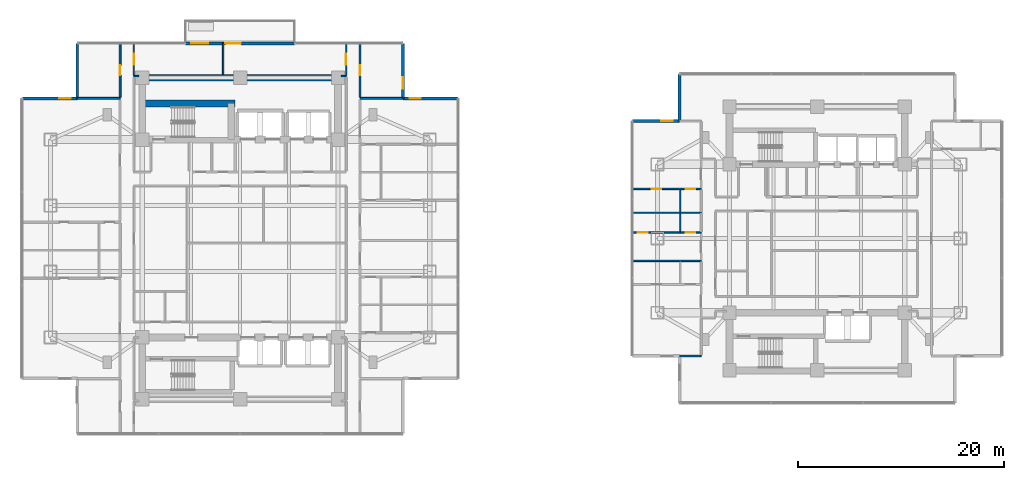
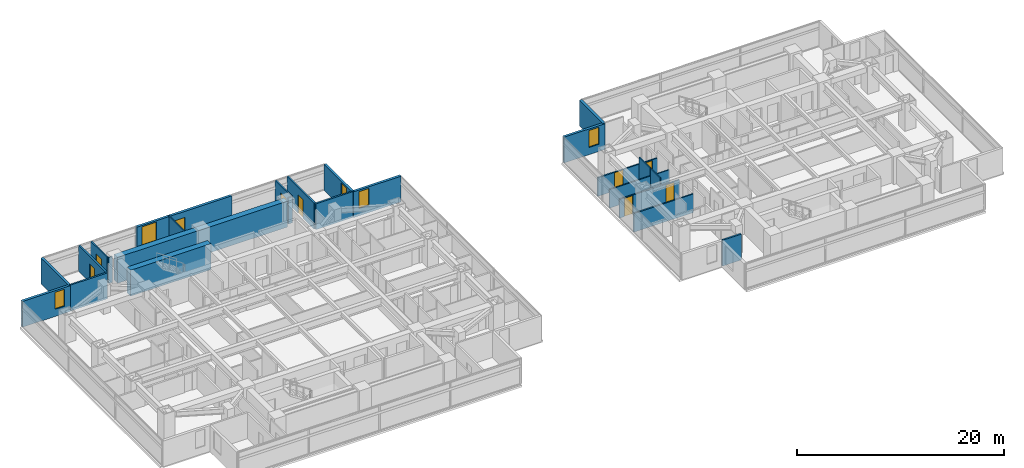
# One storey, part 16 of 25: 25 walls, 9 doors, 5 windows, 14 openings.
"""IFC4 building model written with IfcOpenShell, lengths in metres."""

from ifc_helpers import new_model, si_unit, direction, frame, frame_2d, origin, place, context, subcontext, project, spatial, rectangle, extrude, material, layer, layer_set, type_object, element, fill, save


model = new_model("IFC4")

# Units and contexts
model_context = context("Model", 3, precision=1e-05, world=origin(), true_north=direction((0.0, 1.0)))
body_context = subcontext(model_context, "Body", "Model", "MODEL_VIEW")
ifc_project = project(units=[si_unit("LENGTHUNIT", "METRE"), si_unit("AREAUNIT", "SQUARE_METRE"), si_unit("VOLUMEUNIT", "CUBIC_METRE"), si_unit("PLANEANGLEUNIT", "RADIAN"), si_unit("MASSUNIT", "GRAM", prefix="KILO")], contexts=[model_context])

# Site, building, storey
site_placement = place(None, origin())
site = spatial("IfcSite", under=ifc_project, at=site_placement, CompositionType="ELEMENT")
building_placement = place(site_placement, origin())
building = spatial("IfcBuilding", under=site, at=building_placement, Name="Mirazonda Arch Towers", CompositionType="ELEMENT")
storey_placement = place(building_placement, frame((0.0, 0.0, 58.699951171875)))
storey = spatial("IfcBuildingStorey", under=building, at=storey_placement, Name="L16", CompositionType="ELEMENT", Elevation=58.699951171875)

# Walls
ifc_material_1 = material(Name="Concrete C60/75", Category="concrete")
ifc_layer_1 = layer(ifc_material_1, 0.64990234375, Name="WALL-CORE-650")
ifc_layer_set_1 = layer_set([ifc_layer_1], Name="Concrete C60/75")
wall_type_1 = type_object("IfcWallType", Name="WALL-CORE-650", PredefinedType="SHEAR", material=ifc_layer_set_1)
wall_1_placement = place(storey_placement, frame((11.0, 43.60009765625, 0.0), z_axis=(0.0, 0.0, 1.0), x_axis=(1.0, 0.0, 0.0)))
element("IfcWall", 1, at=wall_1_placement, inside=storey, type_object=wall_type_1, Name="L16 T1N-N Core Shear Wall", PredefinedType="SHEAR", context=body_context, shape_type="SweptSolid", body=[
    extrude(rectangle(XDim=19.0, YDim=0.64990234375, at=frame_2d((9.5, 0.0))), origin(), (0.0, 0.0, 1.0), 3.06005859375),
])
wall_2_placement = place(storey_placement, frame((11.0, 41.093017578125, 0.0), z_axis=(0.0, 0.0, 1.0), x_axis=(1.0, 0.0, 0.0)))
element("IfcWall", 2, at=wall_2_placement, inside=storey, type_object=wall_type_1, Name="L16 T1N-STN Core Shear Wall", PredefinedType="SHEAR", context=body_context, shape_type="SweptSolid", body=[
    extrude(rectangle(XDim=9.0, YDim=0.64990234375, at=frame_2d((4.5, 0.0))), origin(), (0.0, 0.0, 1.0), 3.06005859375),
])

# Wall, openings, door, window
ifc_material_2 = material(Name="Precast Concrete C40/50", Category="concrete")
ifc_layer_2 = layer(ifc_material_2, 0.280029296875, Name="WALL-EXT-WALL-280")
ifc_layer_set_2 = layer_set([ifc_layer_2], Name="Precast Concrete C40/50")
wall_type_2 = type_object("IfcWallType", Name="WALL-EXT-WALL-280", PredefinedType="SOLIDWALL", material=ifc_layer_set_2)
wall_3_placement = place(storey_placement, frame((15.199951171875, 46.93603515625, 0.0), z_axis=(0.0, 0.0, 1.0), x_axis=(1.0, 0.0, 0.0)))
wall_3 = element("IfcWall", 3, at=wall_3_placement, inside=storey, type_object=wall_type_2, Name="L16 T1 Sky-Terrace Threshold Wall WL-TERR-L16-T1", PredefinedType="SOLIDWALL", context=body_context, shape_type="SweptSolid", body=[
    extrude(rectangle(XDim=10.60009765625, YDim=0.280029296875, at=frame_2d((5.300048828125, 0.0))), origin(), (0.0, 0.0, 1.0), 3.02001953125),
])
opening_1_placement = place(wall_3_placement, frame((0.550048828125, 0.0, 0.669921875)))
opening_1 = element("IfcOpeningElement", 4, at=opening_1_placement, cuts=wall_3, Name="Opening WN-115", PredefinedType="OPENING", context=body_context, shape_type="SweptSolid", body=[
    extrude(rectangle(XDim=1.64990234375, YDim=2.199951171875, at=frame_2d((0.824951171875, 1.10009765625))), frame((0.0, 0.14990234375, 0.0), z_axis=(0.0, -1.0, 0.0), x_axis=(1.0, 0.0, 0.0)), (0.0, 0.0, 1.0), 0.300048828125),
])
opening_2_placement = place(wall_3_placement, frame((3.8798828125, 0.0, 0.0)))
opening_2 = element("IfcOpeningElement", 5, at=opening_2_placement, cuts=wall_3, Name="Opening DR-116", PredefinedType="OPENING", context=body_context, shape_type="SweptSolid", body=[
    extrude(rectangle(XDim=1.5, YDim=2.300048828125, at=frame_2d((0.75, 1.14990234375))), frame((0.0, 0.14990234375, 0.0), z_axis=(0.0, -1.0, 0.0), x_axis=(1.0, 0.0, 0.0)), (0.0, 0.0, 1.0), 0.300048828125),
])
ifc_material_3 = material(Name="Architectural Hardwood Timber", Category="wood")
door_type_1 = type_object("IfcDoorType", Name="DOOR-TERR-EXT-1500", OperationType="NOTDEFINED", PredefinedType="DOOR", material=ifc_material_3)
door_1_placement = place(opening_2_placement, origin())
door_1 = element("IfcDoor", 6, at=door_1_placement, inside=storey, type_object=door_type_1, Name="L16 Exterior Door DR-TERR-L16-T1", OperationType="SINGLE_SWING_LEFT", OverallHeight=2.300048828125, OverallWidth=1.5, PredefinedType="DOOR", context=body_context, shape_type="SweptSolid", body=[
    extrude(rectangle(XDim=1.5, YDim=2.300048828125, at=frame_2d((0.75, 1.14990234375))), frame((0.0, 0.02490234375, 0.0), z_axis=(0.0, -1.0, 0.0), x_axis=(1.0, 0.0, 0.0)), (0.0, 0.0, 1.0), 0.050048828125),
])
fill(opening_2, door_1)
ifc_material_4 = material(Name="Insulated Low-E Solar Glass", Category="glass")
window_type_1 = type_object("IfcWindowType", Name="WIN-RES-1650x2200", PartitioningType="SINGLE_PANEL", PredefinedType="WINDOW", material=ifc_material_4)
window_1_placement = place(opening_1_placement, origin())
window_1 = element("IfcWindow", 7, at=window_1_placement, inside=storey, type_object=window_type_1, Name="L16 Punched Facade Window WN-TERR-L16-T1", OverallHeight=2.199951171875, OverallWidth=1.64990234375, PartitioningType="SINGLE_PANEL", PredefinedType="WINDOW", context=body_context, shape_type="SweptSolid", body=[
    extrude(rectangle(XDim=1.64990234375, YDim=2.199951171875, at=frame_2d((0.824951171875, 1.10009765625))), frame((0.0, 0.030029296875, 0.0), z_axis=(0.0, -1.0, 0.0), x_axis=(1.0, 0.0, 0.0)), (0.0, 0.0, 1.0), 0.06005859375),
])
fill(opening_1, window_1)

# Wall, opening, window
wall_4_placement = place(storey_placement, frame((36.300048828125, 41.595947265625, 0.0), z_axis=(0.0, 0.0, 1.0), x_axis=(0.0, 1.0, 0.0)))
wall_4 = element("IfcWall", 8, at=wall_4_placement, inside=storey, type_object=wall_type_2, Name="L16 T1 Notched NE Corner Wall WL-L16-T1-CNE", PredefinedType="SOLIDWALL", context=body_context, shape_type="SweptSolid", body=[
    extrude(rectangle(XDim=5.340087890625, YDim=0.280029296875, at=frame_2d((2.669921875, 0.0))), origin(), (0.0, 0.0, 1.0), 3.0400390625),
])
opening_3_placement = place(wall_4_placement, frame((0.949951171875, 0.0, 0.85009765625)))
opening_3 = element("IfcOpeningElement", 9, at=opening_3_placement, cuts=wall_4, Name="Opening WN-108", PredefinedType="OPENING", context=body_context, shape_type="SweptSolid", body=[
    extrude(rectangle(XDim=1.10009765625, YDim=2.0, at=frame_2d((0.550048828125, 1.0))), frame((0.0, 0.14990234375, 0.0), z_axis=(0.0, -1.0, 0.0), x_axis=(1.0, 0.0, 0.0)), (0.0, 0.0, 1.0), 0.300048828125),
])
window_type_2 = type_object("IfcWindowType", Name="WIN-NOTCH-1100x2000", PartitioningType="SINGLE_PANEL", PredefinedType="WINDOW", material=ifc_material_4)
window_2_placement = place(opening_3_placement, origin())
window_2 = element("IfcWindow", 10, at=window_2_placement, inside=storey, type_object=window_type_2, Name="L16 Punched Facade Window WN-L16-T1-CNE", OverallHeight=2.0, OverallWidth=1.10009765625, PartitioningType="SINGLE_PANEL", PredefinedType="WINDOW", context=body_context, shape_type="SweptSolid", body=[
    extrude(rectangle(XDim=1.10009765625, YDim=2.0, at=frame_2d((0.550048828125, 1.0))), frame((0.0, 0.030029296875, 0.0), z_axis=(0.0, -1.0, 0.0), x_axis=(1.0, 0.0, 0.0)), (0.0, 0.0, 1.0), 0.06005859375),
])
fill(opening_3, window_2)

wall_5_placement = place(storey_placement, frame((4.699951171875, 41.595947265625, 0.0), z_axis=(0.0, 0.0, 1.0), x_axis=(-1.0, 0.0, 0.0)))
wall_5 = element("IfcWall", 11, at=wall_5_placement, inside=storey, type_object=wall_type_2, Name="L16 T1 Corner Notch Return Wall WL-L16-T1-CNW1", PredefinedType="SOLIDWALL", context=body_context, shape_type="SweptSolid", body=[
    extrude(rectangle(XDim=5.33984375, YDim=0.280029296875, at=frame_2d((2.669921875, 0.0))), origin(), (0.0, 0.0, 1.0), 3.0400390625),
])
opening_4_placement = place(wall_5_placement, frame((0.64990234375, 0.0, 0.85009765625)))
opening_4 = element("IfcOpeningElement", 12, at=opening_4_placement, cuts=wall_5, Name="Opening WN-108", PredefinedType="OPENING", context=body_context, shape_type="SweptSolid", body=[
    extrude(rectangle(XDim=1.10009765625, YDim=2.0, at=frame_2d((0.550048828125, 1.0))), frame((0.0, 0.14990234375, 0.0), z_axis=(0.0, -1.0, 0.0), x_axis=(1.0, 0.0, 0.0)), (0.0, 0.0, 1.0), 0.300048828125),
])
window_3_placement = place(opening_4_placement, origin())
window_3 = element("IfcWindow", 13, at=window_3_placement, inside=storey, type_object=window_type_2, Name="L16 Punched Facade Window WN-L16-T1-CNW1", OverallHeight=2.0, OverallWidth=1.10009765625, PartitioningType="SINGLE_PANEL", PredefinedType="WINDOW", context=body_context, shape_type="SweptSolid", body=[
    extrude(rectangle(XDim=1.10009765625, YDim=2.0, at=frame_2d((0.550048828125, 1.0))), frame((0.0, 0.030029296875, 0.0), z_axis=(0.0, -1.0, 0.0), x_axis=(1.0, 0.0, 0.0)), (0.0, 0.0, 1.0), 0.06005859375),
])
fill(opening_4, window_3)

# Wall
wall_6_placement = place(storey_placement, frame((4.699951171875, 46.93603515625, 0.0), z_axis=(0.0, 0.0, 1.0), x_axis=(0.0, -1.0, 0.0)))
element("IfcWall", 14, at=wall_6_placement, inside=storey, type_object=wall_type_2, Name="L16 T1 Corner Notch Return Wall WL-L16-T1-CNW2", PredefinedType="SOLIDWALL", context=body_context, shape_type="SweptSolid", body=[
    extrude(rectangle(XDim=5.340087890625, YDim=0.280029296875, at=frame_2d((2.669921875, 0.0))), origin(), (0.0, 0.0, 1.0), 3.0400390625),
])

# Wall, opening, window
wall_7_placement = place(storey_placement, frame((41.639892578125, 41.595947265625, 0.0), z_axis=(0.0, 0.0, 1.0), x_axis=(-1.0, 0.0, 0.0)))
wall_7 = element("IfcWall", 15, at=wall_7_placement, inside=storey, type_object=wall_type_2, Name="L16 T1 Corner Notch Return Wall WL-L16-T1-CNE2", PredefinedType="SOLIDWALL", context=body_context, shape_type="SweptSolid", body=[
    extrude(rectangle(XDim=5.33984375, YDim=0.280029296875, at=frame_2d((2.669921875, 0.0))), origin(), (0.0, 0.0, 1.0), 3.0400390625),
])
opening_5_placement = place(wall_7_placement, frame((3.590087890625, 0.0, 0.85009765625)))
opening_5 = element("IfcOpeningElement", 16, at=opening_5_placement, cuts=wall_7, Name="Opening WN-108", PredefinedType="OPENING", context=body_context, shape_type="SweptSolid", body=[
    extrude(rectangle(XDim=1.10009765625, YDim=2.0, at=frame_2d((0.550048828125, 1.0))), frame((0.0, 0.14990234375, 0.0), z_axis=(0.0, -1.0, 0.0), x_axis=(1.0, 0.0, 0.0)), (0.0, 0.0, 1.0), 0.300048828125),
])
window_4_placement = place(opening_5_placement, origin())
window_4 = element("IfcWindow", 17, at=window_4_placement, inside=storey, type_object=window_type_2, Name="L16 Punched Facade Window WN-L16-T1-CNE2", OverallHeight=2.0, OverallWidth=1.10009765625, PartitioningType="SINGLE_PANEL", PredefinedType="WINDOW", context=body_context, shape_type="SweptSolid", body=[
    extrude(rectangle(XDim=1.10009765625, YDim=2.0, at=frame_2d((0.550048828125, 1.0))), frame((0.0, 0.030029296875, 0.0), z_axis=(0.0, -1.0, 0.0), x_axis=(1.0, 0.0, 0.0)), (0.0, 0.0, 1.0), 0.06005859375),
])
fill(opening_5, window_4)

wall_8_placement = place(storey_placement, frame((63.1298828125, 39.396484375, 0.0), z_axis=(0.0, 0.0, 1.0), x_axis=(-1.0, 0.0, 0.0)))
wall_8 = element("IfcWall", 18, at=wall_8_placement, inside=storey, type_object=wall_type_2, Name="L16 T2 Corner Notch Return Wall WL-L16-T2-CNW1", PredefinedType="SOLIDWALL", context=body_context, shape_type="SweptSolid", body=[
    extrude(rectangle(XDim=4.5458984375, YDim=0.280029296875, at=frame_2d((2.27294921875, 0.0))), origin(), (0.0, 0.0, 1.0), 3.0400390625),
])
opening_6_placement = place(wall_8_placement, frame((0.64990234375, 0.0, 0.85009765625)))
opening_6 = element("IfcOpeningElement", 19, at=opening_6_placement, cuts=wall_8, Name="Opening WN-108", PredefinedType="OPENING", context=body_context, shape_type="SweptSolid", body=[
    extrude(rectangle(XDim=1.10009765625, YDim=2.0, at=frame_2d((0.550048828125, 1.0))), frame((0.0, 0.14990234375, 0.0), z_axis=(0.0, -1.0, 0.0), x_axis=(1.0, 0.0, 0.0)), (0.0, 0.0, 1.0), 0.300048828125),
])
window_5_placement = place(opening_6_placement, origin())
window_5 = element("IfcWindow", 20, at=window_5_placement, inside=storey, type_object=window_type_2, Name="L16 Punched Facade Window WN-L16-T2-CNW1", OverallHeight=2.0, OverallWidth=1.10009765625, PartitioningType="SINGLE_PANEL", PredefinedType="WINDOW", context=body_context, shape_type="SweptSolid", body=[
    extrude(rectangle(XDim=1.10009765625, YDim=2.0, at=frame_2d((0.550048828125, 1.0))), frame((0.0, 0.030029296875, 0.0), z_axis=(0.0, -1.0, 0.0), x_axis=(1.0, 0.0, 0.0)), (0.0, 0.0, 1.0), 0.06005859375),
])
fill(opening_6, window_5)

# Walls
wall_9_placement = place(storey_placement, frame((63.1298828125, 43.942626953125, 0.0), z_axis=(0.0, 0.0, 1.0), x_axis=(0.0, -1.0, 0.0)))
element("IfcWall", 21, at=wall_9_placement, inside=storey, type_object=wall_type_2, Name="L16 T2 Corner Notch Return Wall WL-L16-T2-CNW2", PredefinedType="SOLIDWALL", context=body_context, shape_type="SweptSolid", body=[
    extrude(rectangle(XDim=4.546142578125, YDim=0.280029296875, at=frame_2d((2.27294921875, 0.0))), origin(), (0.0, 0.0, 1.0), 3.0400390625),
])
ifc_material_5 = material(Name="Fire-Rated Gypsum Stud Partition")
ifc_layer_3 = layer(ifc_material_5, 0.14990234375, Name="WALL-PART-CORR-150")
ifc_layer_set_3 = layer_set([ifc_layer_3], Name="Fire-Rated Gypsum Stud Partition")
wall_type_3 = type_object("IfcWallType", Name="WALL-PART-CORR-150", PredefinedType="PARTITIONING", material=ifc_layer_set_3)
wall_10_placement = place(storey_placement, frame((58.583984375, 25.833984375, 0.0), z_axis=(0.0, 0.0, 1.0), x_axis=(1.0, 0.0, 0.0)))
element("IfcWall", 22, at=wall_10_placement, inside=storey, type_object=wall_type_3, Name="L16 Interior Partition 028", PredefinedType="PARTITIONING", context=body_context, shape_type="SweptSolid", body=[
    extrude(rectangle(XDim=6.666015625, YDim=0.14990234375, at=frame_2d((3.3330078125, 0.0))), origin(), (0.0, 0.0, 1.0), 2.196044921875),
])

# Wall, openings, doors
wall_11_placement = place(storey_placement, frame((58.583984375, 28.587890625, 0.0), z_axis=(0.0, 0.0, 1.0), x_axis=(1.0, 0.0, 0.0)))
wall_11 = element("IfcWall", 23, at=wall_11_placement, inside=storey, type_object=wall_type_3, Name="L16 Interior Partition 033", PredefinedType="PARTITIONING", context=body_context, shape_type="SweptSolid", body=[
    extrude(rectangle(XDim=6.666015625, YDim=0.14990234375, at=frame_2d((3.3330078125, 0.0))), origin(), (0.0, 0.0, 1.0), 2.196044921875),
])
opening_7_placement = place(wall_11_placement, frame((0.508056640625, 0.0, 0.0)))
opening_7 = element("IfcOpeningElement", 24, at=opening_7_placement, cuts=wall_11, Name="Opening DR-104", PredefinedType="OPENING", context=body_context, shape_type="SweptSolid", body=[
    extrude(rectangle(XDim=0.949951171875, YDim=2.14990234375, at=frame_2d((0.47509765625, 1.074951171875))), frame((0.0, 0.0849609375, 0.0), z_axis=(0.0, -1.0, 0.0), x_axis=(1.0, 0.0, 0.0)), (0.0, 0.0, 1.0), 0.169921875),
])
opening_8_placement = place(wall_11_placement, frame((5.176025390625, 0.0, 0.0)))
opening_8 = element("IfcOpeningElement", 25, at=opening_8_placement, cuts=wall_11, Name="Opening DR-120", PredefinedType="OPENING", context=body_context, shape_type="SweptSolid", body=[
    extrude(rectangle(XDim=0.89990234375, YDim=2.10009765625, at=frame_2d((0.449951171875, 1.050048828125))), frame((0.0, 0.0849609375, 0.0), z_axis=(0.0, -1.0, 0.0), x_axis=(1.0, 0.0, 0.0)), (0.0, 0.0, 1.0), 0.169921875),
])
ifc_material_6 = material(Name="Architectural Brushed Steel S355", Category="steel")
door_type_2 = type_object("IfcDoorType", Name="DOOR-ROOM-950", OperationType="NOTDEFINED", PredefinedType="DOOR", material=ifc_material_6)
door_2_placement = place(opening_7_placement, origin())
door_2 = element("IfcDoor", 26, at=door_2_placement, inside=storey, type_object=door_type_2, Name="L16 Guestroom Study 2 Door", OperationType="SINGLE_SWING_LEFT", OverallHeight=2.14990234375, OverallWidth=0.949951171875, PredefinedType="DOOR", context=body_context, shape_type="SweptSolid", body=[
    extrude(rectangle(XDim=0.949951171875, YDim=2.14990234375, at=frame_2d((0.47509765625, 1.074951171875))), frame((0.0, 0.02490234375, 0.0), z_axis=(0.0, -1.0, 0.0), x_axis=(1.0, 0.0, 0.0)), (0.0, 0.0, 1.0), 0.050048828125),
])
fill(opening_7, door_2)
door_type_3 = type_object("IfcDoorType", Name="DOOR-WC-900", OperationType="NOTDEFINED", PredefinedType="DOOR", material=ifc_material_6)
door_3_placement = place(opening_8_placement, origin())
door_3 = element("IfcDoor", 27, at=door_3_placement, inside=storey, type_object=door_type_3, Name="L16 En-Suite Bathroom 2 Door", OperationType="SINGLE_SWING_RIGHT", OverallHeight=2.10009765625, OverallWidth=0.89990234375, PredefinedType="DOOR", context=body_context, shape_type="SweptSolid", body=[
    extrude(rectangle(XDim=0.89990234375, YDim=2.10009765625, at=frame_2d((0.449951171875, 1.050048828125))), frame((0.0, 0.02490234375, 0.0), z_axis=(0.0, -1.0, 0.0), x_axis=(1.0, 0.0, 0.0)), (0.0, 0.0, 1.0), 0.050048828125),
])
fill(opening_8, door_3)

wall_12_placement = place(storey_placement, frame((58.583984375, 32.80810546875, 0.0), z_axis=(0.0, 0.0, 1.0), x_axis=(1.0, 0.0, 0.0)))
wall_12 = element("IfcWall", 28, at=wall_12_placement, inside=storey, type_object=wall_type_3, Name="L16 Interior Partition 040", PredefinedType="PARTITIONING", context=body_context, shape_type="SweptSolid", body=[
    extrude(rectangle(XDim=6.666015625, YDim=0.14990234375, at=frame_2d((3.3330078125, 0.0))), origin(), (0.0, 0.0, 1.0), 2.196044921875),
])
opening_9_placement = place(wall_12_placement, frame((1.85791015625, 0.0, 0.0)))
opening_9 = element("IfcOpeningElement", 29, at=opening_9_placement, cuts=wall_12, Name="Opening DR-104", PredefinedType="OPENING", context=body_context, shape_type="SweptSolid", body=[
    extrude(rectangle(XDim=0.949951171875, YDim=2.14990234375, at=frame_2d((0.47509765625, 1.074951171875))), frame((0.0, 0.0849609375, 0.0), z_axis=(0.0, -1.0, 0.0), x_axis=(1.0, 0.0, 0.0)), (0.0, 0.0, 1.0), 0.169921875),
])
opening_10_placement = place(wall_12_placement, frame((5.176025390625, 0.0, 0.0)))
opening_10 = element("IfcOpeningElement", 30, at=opening_10_placement, cuts=wall_12, Name="Opening DR-120", PredefinedType="OPENING", context=body_context, shape_type="SweptSolid", body=[
    extrude(rectangle(XDim=0.89990234375, YDim=2.10009765625, at=frame_2d((0.449951171875, 1.050048828125))), frame((0.0, 0.0849609375, 0.0), z_axis=(0.0, -1.0, 0.0), x_axis=(1.0, 0.0, 0.0)), (0.0, 0.0, 1.0), 0.169921875),
])
door_4_placement = place(opening_9_placement, origin())
door_4 = element("IfcDoor", 31, at=door_4_placement, inside=storey, type_object=door_type_2, Name="L16 Guestroom Study 3 Door", OperationType="SINGLE_SWING_RIGHT", OverallHeight=2.14990234375, OverallWidth=0.949951171875, PredefinedType="DOOR", context=body_context, shape_type="SweptSolid", body=[
    extrude(rectangle(XDim=0.949951171875, YDim=2.14990234375, at=frame_2d((0.47509765625, 1.074951171875))), frame((0.0, 0.02490234375, 0.0), z_axis=(0.0, -1.0, 0.0), x_axis=(1.0, 0.0, 0.0)), (0.0, 0.0, 1.0), 0.050048828125),
])
fill(opening_9, door_4)
door_5_placement = place(opening_10_placement, origin())
door_5 = element("IfcDoor", 32, at=door_5_placement, inside=storey, type_object=door_type_3, Name="L16 En-Suite Bathroom 3 Door", OperationType="SINGLE_SWING_LEFT", OverallHeight=2.10009765625, OverallWidth=0.89990234375, PredefinedType="DOOR", context=body_context, shape_type="SweptSolid", body=[
    extrude(rectangle(XDim=0.89990234375, YDim=2.10009765625, at=frame_2d((0.449951171875, 1.050048828125))), frame((0.0, 0.02490234375, 0.0), z_axis=(0.0, -1.0, 0.0), x_axis=(1.0, 0.0, 0.0)), (0.0, 0.0, 1.0), 0.050048828125),
])
fill(opening_10, door_5)

# Walls
for number, where, z_axis, x_axis, name in (
    (33, (10.199951171875, 43.75, 0.0), (0.0, 0.0, 1.0), (1.0, 0.0, 0.0), "L16 Interior Partition 059"),
    (34, (30.320068359375, 43.75, 0.0), (0.0, 0.0, 1.0), (1.0, 0.0, 0.0), "L16 Interior Partition 060"),
):
    element("IfcWall", number, at=place(storey_placement, frame(where, z_axis=z_axis, x_axis=x_axis)), inside=storey, type_object=wall_type_3, Name=name, PredefinedType="PARTITIONING", context=body_context, shape_type="SweptSolid", body=[
        extrude(rectangle(XDim=0.47998046875, YDim=0.14990234375, at=frame_2d((0.239990234375, 0.0))), origin(), (0.0, 0.0, 1.0), 3.06005859375),
    ])

# Wall, opening, door
wall_13_placement = place(storey_placement, frame((10.199951171875, 43.8349609375, 0.0), z_axis=(0.0, 0.0, 1.0), x_axis=(0.0, 1.0, 0.0)))
wall_13 = element("IfcWall", 35, at=wall_13_placement, inside=storey, type_object=wall_type_3, Name="L16 Interior Partition 074", PredefinedType="PARTITIONING", context=body_context, shape_type="SweptSolid", body=[
    extrude(rectangle(XDim=3.10107421875, YDim=0.14990234375, at=frame_2d((1.550537109375, 0.0))), origin(), (0.0, 0.0, 1.0), 3.06005859375),
])
opening_11_placement = place(wall_13_placement, frame((1.025390625, 0.0, 0.0)))
opening_11 = element("IfcOpeningElement", 36, at=opening_11_placement, cuts=wall_13, Name="Opening DR-121", PredefinedType="OPENING", context=body_context, shape_type="SweptSolid", body=[
    extrude(rectangle(XDim=1.050048828125, YDim=2.199951171875, at=frame_2d((0.52490234375, 1.10009765625))), frame((0.0, 0.0849609375, 0.0), z_axis=(0.0, -1.0, 0.0), x_axis=(1.0, 0.0, 0.0)), (0.0, 0.0, 1.0), 0.169921875),
])
door_type_4 = type_object("IfcDoorType", Name="DOOR-SUITE-FD60-1050", OperationType="NOTDEFINED", PredefinedType="DOOR", material=ifc_material_6)
door_6_placement = place(opening_11_placement, origin())
door_6 = element("IfcDoor", 37, at=door_6_placement, inside=storey, type_object=door_type_4, Name="L16 North Reading Salon West Door", OperationType="SINGLE_SWING_RIGHT", OverallHeight=2.199951171875, OverallWidth=1.050048828125, PredefinedType="DOOR", context=body_context, shape_type="SweptSolid", body=[
    extrude(rectangle(XDim=1.050048828125, YDim=2.199951171875, at=frame_2d((0.52490234375, 1.10009765625))), frame((0.0, 0.02490234375, 0.0), z_axis=(0.0, -1.0, 0.0), x_axis=(1.0, 0.0, 0.0)), (0.0, 0.0, 1.0), 0.050048828125),
])
fill(opening_11, door_6)

# Wall
wall_14_placement = place(storey_placement, frame((18.85205078125, 43.919921875, 0.0), z_axis=(0.0, 0.0, 1.0), x_axis=(0.0, 1.0, 0.0)))
element("IfcWall", 38, at=wall_14_placement, inside=storey, type_object=wall_type_3, Name="L16 Interior Partition 082", PredefinedType="PARTITIONING", context=body_context, shape_type="SweptSolid", body=[
    extrude(rectangle(XDim=3.01611328125, YDim=0.14990234375, at=frame_2d((1.508056640625, 0.0))), origin(), (0.0, 0.0, 1.0), 3.06005859375),
])

# Wall, opening, door
wall_15_placement = place(storey_placement, frame((30.800048828125, 43.8349609375, 0.0), z_axis=(0.0, 0.0, 1.0), x_axis=(0.0, 1.0, 0.0)))
wall_15 = element("IfcWall", 39, at=wall_15_placement, inside=storey, type_object=wall_type_3, Name="L16 Interior Partition 102", PredefinedType="PARTITIONING", context=body_context, shape_type="SweptSolid", body=[
    extrude(rectangle(XDim=3.10107421875, YDim=0.14990234375, at=frame_2d((1.550537109375, 0.0))), origin(), (0.0, 0.0, 1.0), 3.06005859375),
])
opening_12_placement = place(wall_15_placement, frame((1.025390625, 0.0, 0.0)))
opening_12 = element("IfcOpeningElement", 40, at=opening_12_placement, cuts=wall_15, Name="Opening DR-121", PredefinedType="OPENING", context=body_context, shape_type="SweptSolid", body=[
    extrude(rectangle(XDim=1.050048828125, YDim=2.199951171875, at=frame_2d((0.52490234375, 1.10009765625))), frame((0.0, 0.0849609375, 0.0), z_axis=(0.0, -1.0, 0.0), x_axis=(1.0, 0.0, 0.0)), (0.0, 0.0, 1.0), 0.169921875),
])
door_7_placement = place(opening_12_placement, origin())
door_7 = element("IfcDoor", 41, at=door_7_placement, inside=storey, type_object=door_type_4, Name="L16 North Reading Salon East Door", OperationType="SINGLE_SWING_LEFT", OverallHeight=2.199951171875, OverallWidth=1.050048828125, PredefinedType="DOOR", context=body_context, shape_type="SweptSolid", body=[
    extrude(rectangle(XDim=1.050048828125, YDim=2.199951171875, at=frame_2d((0.52490234375, 1.10009765625))), frame((0.0, 0.02490234375, 0.0), z_axis=(0.0, -1.0, 0.0), x_axis=(1.0, 0.0, 0.0)), (0.0, 0.0, 1.0), 0.050048828125),
])
fill(opening_12, door_7)

# Walls
ifc_material_7 = material(Name="Fire-Rated Gypsum Twin-Stud Assembly")
ifc_layer_4 = layer(ifc_material_7, 0.179931640625, Name="WALL-PART-DEMISE-180")
ifc_layer_set_4 = layer_set([ifc_layer_4], Name="Fire-Rated Gypsum Twin-Stud Assembly")
wall_type_4 = type_object("IfcWallType", Name="WALL-PART-DEMISE-180", PredefinedType="PARTITIONING", material=ifc_layer_set_4)
wall_16_placement = place(storey_placement, frame((63.14990234375, 16.60302734375, 0.0), z_axis=(0.0, 0.0, 1.0), x_axis=(1.0, 0.0, 0.0)))
element("IfcWall", 42, at=wall_16_placement, inside=storey, type_object=wall_type_4, Name="L16 Interior Partition 009", PredefinedType="PARTITIONING", context=body_context, shape_type="SweptSolid", body=[
    extrude(rectangle(XDim=2.10009765625, YDim=0.179931640625, at=frame_2d((1.050048828125, 0.0))), origin(), (0.0, 0.0, 1.0), 3.06005859375),
])
for number, where, z_axis, x_axis, name in (
    (43, (4.719970703125, 41.595947265625, 0.0), (0.0, 0.0, 1.0), (1.0, 0.0, 0.0), "L16 Interior Partition 057"),
    (44, (32.139892578125, 41.595947265625, 0.0), (0.0, 0.0, 1.0), (1.0, 0.0, 0.0), "L16 Interior Partition 058"),
):
    element("IfcWall", number, at=place(storey_placement, frame(where, z_axis=z_axis, x_axis=x_axis)), inside=storey, type_object=wall_type_4, Name=name, PredefinedType="PARTITIONING", context=body_context, shape_type="SweptSolid", body=[
        extrude(rectangle(XDim=4.14013671875, YDim=0.179931640625, at=frame_2d((2.070068359375, 0.0))), origin(), (0.0, 0.0, 1.0), 3.06005859375),
    ])

# Wall, opening, door
wall_17_placement = place(storey_placement, frame((8.860107421875, 41.696044921875, 0.0), z_axis=(0.0, 0.0, 1.0), x_axis=(0.0, 1.0, 0.0)))
wall_17 = element("IfcWall", 45, at=wall_17_placement, inside=storey, type_object=wall_type_4, Name="L16 Interior Partition 068", PredefinedType="PARTITIONING", context=body_context, shape_type="SweptSolid", body=[
    extrude(rectangle(XDim=5.239990234375, YDim=0.179931640625, at=frame_2d((2.6201171875, 0.0))), origin(), (0.0, 0.0, 1.0), 3.06005859375),
])
opening_13_placement = place(wall_17_placement, frame((2.14501953125, 0.0, 0.0)))
opening_13 = element("IfcOpeningElement", 46, at=opening_13_placement, cuts=wall_17, Name="Opening DR-104", PredefinedType="OPENING", context=body_context, shape_type="SweptSolid", body=[
    extrude(rectangle(XDim=0.949951171875, YDim=2.14990234375, at=frame_2d((0.47509765625, 1.074951171875))), frame((0.0, 0.099853515625, 0.0), z_axis=(0.0, -1.0, 0.0), x_axis=(1.0, 0.0, 0.0)), (0.0, 0.0, 1.0), 0.199951171875),
])
door_8_placement = place(opening_13_placement, origin())
door_8 = element("IfcDoor", 47, at=door_8_placement, inside=storey, type_object=door_type_2, Name="L16 North Reading Salon Alcove West Door", OperationType="SINGLE_SWING_RIGHT", OverallHeight=2.14990234375, OverallWidth=0.949951171875, PredefinedType="DOOR", context=body_context, shape_type="SweptSolid", body=[
    extrude(rectangle(XDim=0.949951171875, YDim=2.14990234375, at=frame_2d((0.47509765625, 1.074951171875))), frame((0.0, 0.02490234375, 0.0), z_axis=(0.0, -1.0, 0.0), x_axis=(1.0, 0.0, 0.0)), (0.0, 0.0, 1.0), 0.050048828125),
])
fill(opening_13, door_8)

wall_18_placement = place(storey_placement, frame((32.139892578125, 41.696044921875, 0.0), z_axis=(0.0, 0.0, 1.0), x_axis=(0.0, 1.0, 0.0)))
wall_18 = element("IfcWall", 48, at=wall_18_placement, inside=storey, type_object=wall_type_4, Name="L16 Interior Partition 112", PredefinedType="PARTITIONING", context=body_context, shape_type="SweptSolid", body=[
    extrude(rectangle(XDim=5.239990234375, YDim=0.179931640625, at=frame_2d((2.6201171875, 0.0))), origin(), (0.0, 0.0, 1.0), 3.06005859375),
])
opening_14_placement = place(wall_18_placement, frame((2.14501953125, 0.0, 0.0)))
opening_14 = element("IfcOpeningElement", 49, at=opening_14_placement, cuts=wall_18, Name="Opening DR-104", PredefinedType="OPENING", context=body_context, shape_type="SweptSolid", body=[
    extrude(rectangle(XDim=0.949951171875, YDim=2.14990234375, at=frame_2d((0.47509765625, 1.074951171875))), frame((0.0, 0.099853515625, 0.0), z_axis=(0.0, -1.0, 0.0), x_axis=(1.0, 0.0, 0.0)), (0.0, 0.0, 1.0), 0.199951171875),
])
door_9_placement = place(opening_14_placement, origin())
door_9 = element("IfcDoor", 50, at=door_9_placement, inside=storey, type_object=door_type_2, Name="L16 North Reading Salon Alcove East Door", OperationType="SINGLE_SWING_LEFT", OverallHeight=2.14990234375, OverallWidth=0.949951171875, PredefinedType="DOOR", context=body_context, shape_type="SweptSolid", body=[
    extrude(rectangle(XDim=0.949951171875, YDim=2.14990234375, at=frame_2d((0.47509765625, 1.074951171875))), frame((0.0, 0.02490234375, 0.0), z_axis=(0.0, -1.0, 0.0), x_axis=(1.0, 0.0, 0.0)), (0.0, 0.0, 1.0), 0.050048828125),
])
fill(opening_14, door_9)

# Walls
ifc_material_8 = material(Name="Acoustic Fire-Rated Gypsum Partition")
ifc_layer_5 = layer(ifc_material_8, 0.125, Name="WALL-PART-UNIT-125")
ifc_layer_set_5 = layer_set([ifc_layer_5], Name="Acoustic Fire-Rated Gypsum Partition")
wall_type_5 = type_object("IfcWallType", Name="WALL-PART-UNIT-125", PredefinedType="PARTITIONING", material=ifc_layer_set_5)
wall_19_placement = place(storey_placement, frame((58.583984375, 30.508056640625, 0.0), z_axis=(0.0, 0.0, 1.0), x_axis=(1.0, 0.0, 0.0)))
element("IfcWall", 51, at=wall_19_placement, inside=storey, type_object=wall_type_5, Name="L16 Interior Partition 035", PredefinedType="PARTITIONING", context=body_context, shape_type="SweptSolid", body=[
    extrude(rectangle(XDim=6.666015625, YDim=0.125, at=frame_2d((3.3330078125, 0.0))), origin(), (0.0, 0.0, 1.0), 2.196044921875),
])
wall_20_placement = place(storey_placement, frame((63.2099609375, 28.673095703125, 0.0), z_axis=(0.0, 0.0, 1.0), x_axis=(0.0, 1.0, 0.0)))
element("IfcWall", 52, at=wall_20_placement, inside=storey, type_object=wall_type_5, Name="L16 Interior Partition 118", PredefinedType="PARTITIONING", context=body_context, shape_type="SweptSolid", body=[
    extrude(rectangle(XDim=1.762451171875, YDim=0.125, at=frame_2d((0.88134765625, 0.0))), origin(), (0.0, 0.0, 1.0), 3.06005859375),
])
wall_21_placement = place(storey_placement, frame((63.2099609375, 30.58056640625, 0.0), z_axis=(0.0, 0.0, 1.0), x_axis=(0.0, 1.0, 0.0)))
element("IfcWall", 53, at=wall_21_placement, inside=storey, type_object=wall_type_5, Name="L16 Interior Partition 119", PredefinedType="PARTITIONING", context=body_context, shape_type="SweptSolid", body=[
    extrude(rectangle(XDim=2.142333984375, YDim=0.125, at=frame_2d((1.0712890625, 0.0))), origin(), (0.0, 0.0, 1.0), 3.06005859375),
])

save(model, "model.ifc")
